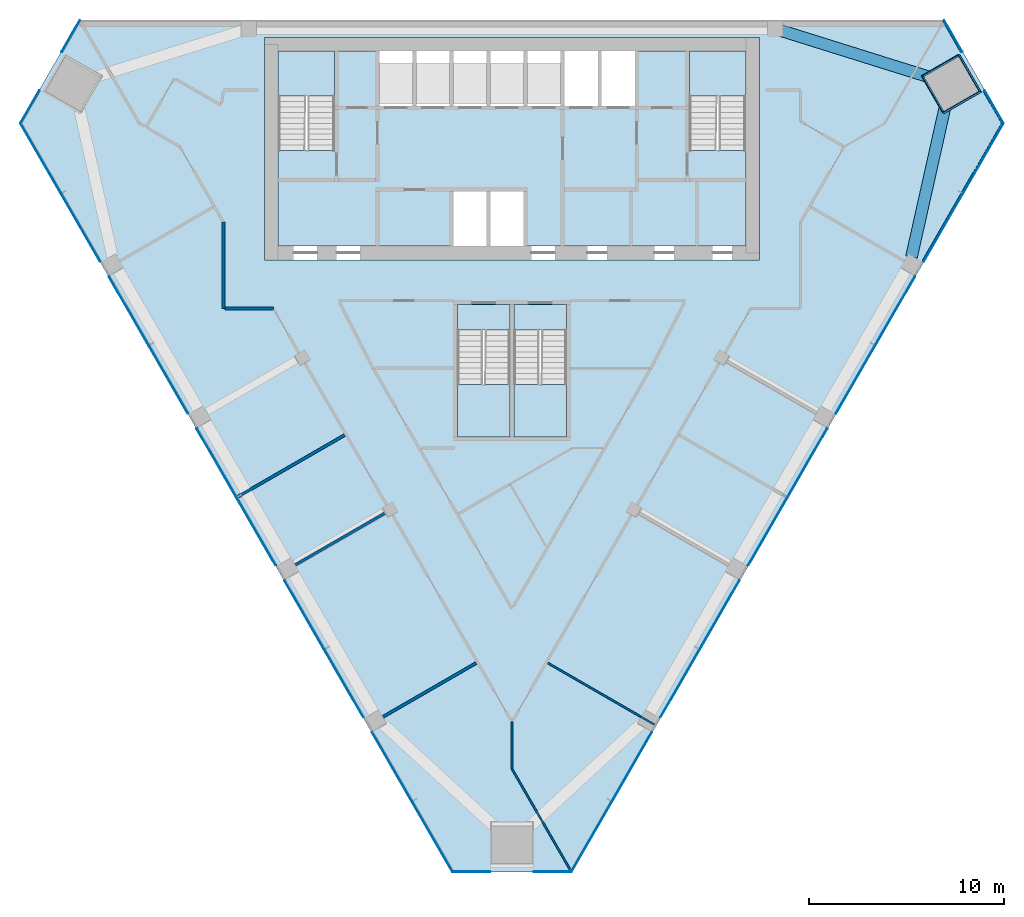
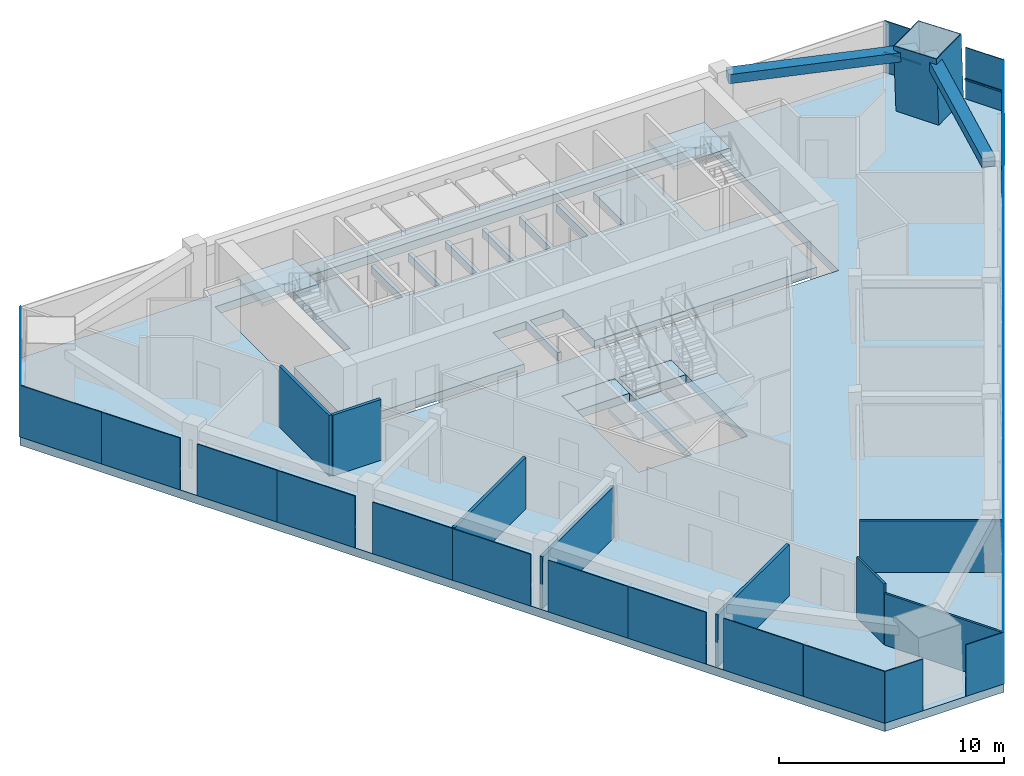
# One storey, part 7 of 13: 26 plates, 8 slabs, 8 walls, 4 members, 2 beams, 9 elements without a shape of their own.
"""IFC4 building model written with IfcOpenShell, lengths in metres."""

import ifcopenshell
import ifcopenshell.guid

model = None  # the IFC model being written
_history = None  # IfcOwnerHistory: only IFC2X3 demands one
_inside = {}  # id of a spatial element -> (the spatial element, [elements in it])
_under = {}  # id of a project, library or spatial element -> (it, [spatial elements below it])
_declared = {}  # id of a project -> (the project, [libraries it declares])
_typed = {}  # id of a type object -> (the type object, [elements of that type])
_made_of = {}  # id of a material, layer set ... -> (it, [elements and type objects made of it])


def new_model(schema):
    """Start an empty IFC model of exactly this schema.

    Asked for "IFC4X3", IfcOpenShell would pick the latest addendum, in which some entities
    have other attributes; the version numbers below select the first issue.
    IFC2X3 requires an IfcOwnerHistory on every rooted entity: one is made here for all.
    """
    global model, _history
    if schema == "IFC4X3":
        model = ifcopenshell.file(schema_version=(4, 3, 0, 0))
    else:
        model = ifcopenshell.file(schema=schema)
    _inside.clear()
    _under.clear()
    _declared.clear()
    _typed.clear()
    _made_of.clear()
    _history = None
    if model.schema == "IFC2X3":
        org = make("IfcOrganization", Name="unknown")
        user = make(
            "IfcPersonAndOrganization",
            ThePerson=make("IfcPerson", FamilyName="unknown"),
            TheOrganization=org,
        )
        app = make(
            "IfcApplication",
            ApplicationDeveloper=org,
            Version="unknown",
            ApplicationFullName="unknown",
            ApplicationIdentifier="unknown",
        )
        _history = make(
            "IfcOwnerHistory",
            OwningUser=user,
            OwningApplication=app,
            ChangeAction="ADDED",
            CreationDate=0,
        )
    return model


def make(cls, **values):
    """One entity of the class cls with the attributes given. An attribute that is None is left unset."""
    return model.create_entity(
        cls, **{name: value for name, value in values.items() if value is not None}
    )


def rooted(cls, **values):
    """An entity with a GlobalId (a new one), such as an element, a storey or a relation."""
    return make(cls, GlobalId=ifcopenshell.guid.new(), OwnerHistory=_history, **values)


def si_unit(unit_type, name, prefix=None):
    """IfcSIUnit, for example si_unit("LENGTHUNIT", "METRE", prefix="MILLI")."""
    return make("IfcSIUnit", UnitType=unit_type, Prefix=prefix, Name=name)


def assignment(units):
    """IfcUnitAssignment: the units of a project."""
    return None if units is None else make("IfcUnitAssignment", Units=units)


def point(xyz):
    """IfcCartesianPoint."""
    return None if xyz is None else make("IfcCartesianPoint", Coordinates=xyz)


def direction(xyz):
    """IfcDirection."""
    return None if xyz is None else make("IfcDirection", DirectionRatios=xyz)


def frame(location, z_axis=None, x_axis=None):
    """IfcAxis2Placement3D, a coordinate frame: its origin and axes. An axis left out is left unset."""
    return make(
        "IfcAxis2Placement3D",
        Location=point(location),
        Axis=direction(z_axis),
        RefDirection=direction(x_axis),
    )


def frame_2d(location, x_axis=None):
    """IfcAxis2Placement2D, a coordinate frame in the plane: its origin and x axis."""
    return make(
        "IfcAxis2Placement2D", Location=point(location), RefDirection=direction(x_axis)
    )


def origin():
    """The frame at (0, 0, 0) with its axes left unset."""
    return frame((0.0, 0.0, 0.0))


def origin_2d():
    """The frame at (0, 0) in the plane with its x axis left unset."""
    return frame_2d((0.0, 0.0))


def place(relative_to, where):
    """IfcLocalPlacement: puts the frame where relative to a parent placement (None: the world)."""
    return make(
        "IfcLocalPlacement", PlacementRelTo=relative_to, RelativePlacement=where
    )


def context(
    kind, dimensions, precision=None, world=None, true_north=None, identifier=None
):
    """IfcGeometricRepresentationContext, for example the 3D "Model" context."""
    return make(
        "IfcGeometricRepresentationContext",
        ContextIdentifier=identifier,
        ContextType=kind,
        CoordinateSpaceDimension=dimensions,
        Precision=precision,
        WorldCoordinateSystem=world,
        TrueNorth=true_north,
    )


def subcontext(parent, identifier, kind, view, scale=None):
    """IfcGeometricRepresentationSubContext, for example "Body" below "Model"."""
    return make(
        "IfcGeometricRepresentationSubContext",
        ContextIdentifier=identifier,
        ContextType=kind,
        ParentContext=parent,
        TargetScale=scale,
        TargetView=view,
    )


def project(units=None, contexts=None):
    """IfcProject with its units and contexts."""
    return rooted(
        "IfcProject",
        Name="project",
        RepresentationContexts=contexts,
        UnitsInContext=assignment(units),
    )


def spatial(cls, under=None, at=None, **own):
    """A site, building, storey or space (cls), placed at a placement, below another one or the project."""
    s = rooted(cls, ObjectPlacement=at, **own)
    if under is not None:
        _under.setdefault(under.id(), (under, []))[1].append(s)
    return s


def polyline(points):
    """IfcPolyline through the points."""
    return make("IfcPolyline", Points=[point(p) for p in points])


def profile(cls, at=None, kind="AREA", **sizes):
    """A parametric profile (cls). Its sizes go by their IFC names, for example OverallWidth=200.0."""
    return make(cls, ProfileType=kind, Position=at, **sizes)


def rectangle(**sizes):
    """IfcRectangleProfileDef."""
    return profile("IfcRectangleProfileDef", **sizes)


def hollow_rectangle(**sizes):
    """IfcRectangleHollowProfileDef."""
    return profile("IfcRectangleHollowProfileDef", **sizes)


def outline(outer, holes=None, kind="AREA"):
    """IfcArbitraryClosedProfileDef: a profile drawn as a closed curve; with holes, ...WithVoids."""
    if holes is None:
        return make("IfcArbitraryClosedProfileDef", ProfileType=kind, OuterCurve=outer)
    return make(
        "IfcArbitraryProfileDefWithVoids",
        ProfileType=kind,
        OuterCurve=outer,
        InnerCurves=holes,
    )


def extrude(swept, where, along, depth):
    """IfcExtrudedAreaSolid: the profile swept, set in the frame where, extruded along a direction by depth."""
    return make(
        "IfcExtrudedAreaSolid",
        SweptArea=swept,
        Position=where,
        ExtrudedDirection=direction(along),
        Depth=depth,
    )


def shape(context_of_items, identifier, shape_type, items):
    """IfcShapeRepresentation: the items that make up one representation, for example the "Body"."""
    return make(
        "IfcShapeRepresentation",
        ContextOfItems=context_of_items,
        RepresentationIdentifier=identifier,
        RepresentationType=shape_type,
        Items=items,
    )


def material(Name=None, Category=None):
    """IfcMaterial."""
    return make("IfcMaterial", Name=Name, Category=Category)


def layer(
    of_material, thickness, ventilated=None, Name=None, Category=None, Priority=None
):
    """IfcMaterialLayer: one layer of a wall or slab, of a material (None: an air gap)."""
    return make(
        "IfcMaterialLayer",
        Material=of_material,
        LayerThickness=thickness,
        IsVentilated=ventilated,
        Name=Name,
        Category=Category,
        Priority=Priority,
    )


def layer_set(layers, Name=None):
    """IfcMaterialLayerSet."""
    return make("IfcMaterialLayerSet", MaterialLayers=layers, LayerSetName=Name)


def material_profile(
    of_material, cross_section, Name=None, Category=None, Priority=None
):
    """IfcMaterialProfile: a cross section and its material."""
    return make(
        "IfcMaterialProfile",
        Name=Name,
        Material=of_material,
        Profile=cross_section,
        Priority=Priority,
        Category=Category,
    )


def profile_set(profiles, Name=None, composite=None):
    """IfcMaterialProfileSet."""
    return make(
        "IfcMaterialProfileSet",
        Name=Name,
        MaterialProfiles=profiles,
        CompositeProfile=composite,
    )


def made_of(thing, what):
    """Note that an element or type object is made of a material, layer set ...; save() writes the relation."""
    if what is not None:
        _made_of.setdefault(what.id(), (what, []))[1].append(thing)
    return thing


def type_object(cls, material=None, **own):
    """A type object (cls), such as IfcWallType, which elements share."""
    return made_of(rooted(cls, **own), material)


def element(
    cls,
    number,
    at=None,
    inside=None,
    cuts=None,
    type_object=None,
    material=None,
    context=None,
    identifier="Body",
    shape_type=None,
    held_by="IfcProductDefinitionShape",
    body=None,
    shapes=None,
    **own,
):
    """One element of the class cls, such as IfcWall. Its Tag is "e" and its number.

    at: its placement. inside: the storey or other place that contains it. cuts: it is an
    opening in that element (IfcRelVoidsElement). A single representation is given by context,
    identifier, shape_type and body (its items); several are given by shapes. held_by: the class
    of the entity that holds the representations. save() writes the other relations.
    """
    e = rooted(cls, Tag="e%d" % number, ObjectPlacement=at, **own)
    if body is not None:
        shapes = [shape(context, identifier, shape_type, body)]
    if shapes is not None:
        e.Representation = make(held_by, Representations=shapes)
    if inside is not None:
        _inside.setdefault(inside.id(), (inside, []))[1].append(e)
    if cuts is not None:
        rooted(
            "IfcRelVoidsElement", RelatingBuildingElement=cuts, RelatedOpeningElement=e
        )
    if type_object is not None:
        _typed.setdefault(type_object.id(), (type_object, []))[1].append(e)
    return made_of(e, material)


def aggregate(whole, parts):
    """IfcRelAggregates: a whole, such as a stair, and the parts it consists of."""
    return rooted("IfcRelAggregates", RelatingObject=whole, RelatedObjects=parts)


def save(model, path):
    """Write the relations noted so far, then the file.

    IfcRelAggregates (storeys below a building ...), IfcRelContainedInSpatialStructure (elements
    in a storey), IfcRelDefinesByType, IfcRelAssociatesMaterial and IfcRelDeclares: one each for
    every whole, place, type object, material and project.
    """
    for whole, parts in _under.values():
        aggregate(whole, parts)
    for where, things in _inside.values():
        rooted(
            "IfcRelContainedInSpatialStructure",
            RelatedElements=things,
            RelatingStructure=where,
        )
    for kind, things in _typed.values():
        rooted("IfcRelDefinesByType", RelatedObjects=things, RelatingType=kind)
    for what, things in _made_of.values():
        rooted("IfcRelAssociatesMaterial", RelatedObjects=things, RelatingMaterial=what)
    for by, libraries in _declared.values():
        rooted("IfcRelDeclares", RelatingContext=by, RelatedDefinitions=libraries)
    model.write(path)


model = new_model("IFC4")

# Units and contexts
model_context = context("Model", 3, precision=1e-05, world=origin(), true_north=direction((0.0, 1.0)))
body_context = subcontext(model_context, "Body", "Model", "MODEL_VIEW")
ifc_project = project(units=[si_unit("LENGTHUNIT", "METRE"), si_unit("AREAUNIT", "SQUARE_METRE"), si_unit("VOLUMEUNIT", "CUBIC_METRE"), si_unit("PLANEANGLEUNIT", "RADIAN"), si_unit("MASSUNIT", "GRAM", prefix="KILO")], contexts=[model_context])

# Site, building, storey
site_placement = place(None, origin())
site = spatial("IfcSite", under=ifc_project, at=site_placement, CompositionType="ELEMENT")
building_placement = place(site_placement, origin())
building = spatial("IfcBuilding", under=site, at=building_placement, Name="Altiplano Prism Tower", CompositionType="ELEMENT")
storey_placement = place(building_placement, frame((0.0, 0.0, 208.800048828125)))
storey = spatial("IfcBuildingStorey", under=building, at=storey_placement, Name="L54", CompositionType="ELEMENT", Elevation=208.800048828125)

# Curtain wall, member
ifc_material_1 = material(Name="Aluminium and glass", Category="aluminium")
ifc_layer_1 = layer(ifc_material_1, 0.303955078125)
ifc_layer_set_1 = layer_set([ifc_layer_1], Name="Aluminium and glass")
curtain_wall_type = type_object("IfcCurtainWallType", Name="CW2 lounge-band unitised glazing", PredefinedType="NOTDEFINED", material=ifc_layer_set_1)
curtain_wall_1_placement = place(storey_placement, origin())
curtain_wall_1 = element("IfcCurtainWall", 1, at=curtain_wall_1_placement, inside=storey, type_object=curtain_wall_type, Name="CW2 curtain wall south-east face L54", PredefinedType="NOTDEFINED")
ifc_material_2 = material(Name="Aluminium", Category="aluminium")
ifc_material_profile_1 = material_profile(ifc_material_2, rectangle(XDim=0.06005859375, YDim=0.080078125, at=origin_2d()), Name="CW2 transom 80 x 60")
ifc_profile_set_1 = profile_set([ifc_material_profile_1], Name="Aluminium")
member_type_1 = type_object("IfcMemberType", Name="CW2 transom 80 x 60", PredefinedType="USERDEFINED", material=ifc_profile_set_1)
member_1_placement = place(storey_placement, frame((106.07275390625, 92.64013671875, 1.099853515625), z_axis=(0.500003317987, 0.866023488135, 0.0), x_axis=(-0.866023488135, 0.500003317987, 0.0)))
member_1 = element("IfcMember", 2, at=member_1_placement, type_object=member_type_1, Name="CW2 transom", ObjectType="TRANSOM", PredefinedType="USERDEFINED", context=body_context, shape_type="SweptSolid", body=[
    extrude(rectangle(XDim=0.06005859375, YDim=0.080078125, at=origin_2d()), origin(), (0.0, 0.0, 1.0), 8.20166015625),
])

# Curtain wall, members
curtain_wall_2_placement = place(storey_placement, origin())
curtain_wall_2 = element("IfcCurtainWall", 3, at=curtain_wall_2_placement, inside=storey, type_object=curtain_wall_type, Name="CW2 curtain wall north-east chamfer L54", PredefinedType="NOTDEFINED")
member_2_placement = place(storey_placement, frame((110.173583984375, 99.6689453125, 1.099853515625), z_axis=(-0.500017700655, 0.866015184065, 0.0), x_axis=(-0.866015184065, -0.500017700655, 0.0)))
member_2 = element("IfcMember", 4, at=member_2_placement, type_object=member_type_1, Name="CW2 transom", ObjectType="TRANSOM", PredefinedType="USERDEFINED", context=body_context, shape_type="SweptSolid", body=[
    extrude(rectangle(XDim=0.06005859375, YDim=0.080078125, at=origin_2d()), origin(), (0.0, 0.0, 1.0), 1.95654296875),
])
member_3_placement = place(storey_placement, frame((108.05517578125, 103.337890625, 1.099853515625), z_axis=(-0.500015282227, 0.866016580407, 0.0), x_axis=(-0.866016580407, -0.500015282227, 0.0)))
member_3 = element("IfcMember", 5, at=member_3_placement, type_object=member_type_1, Name="CW2 transom", ObjectType="TRANSOM", PredefinedType="USERDEFINED", context=body_context, shape_type="SweptSolid", body=[
    extrude(rectangle(XDim=0.06005859375, YDim=0.080078125, at=origin_2d()), origin(), (0.0, 0.0, 1.0), 1.87646484375),
])

# Beams
ifc_material_3 = material(Name="Concrete C60/75", Category="concrete")
ifc_material_profile_2 = material_profile(ifc_material_3, rectangle(XDim=0.60009765625, YDim=0.5, at=origin_2d()), Name="Edge beam 600x500")
ifc_profile_set_2 = profile_set([ifc_material_profile_2], Name="Concrete C60/75")
beam_type = type_object("IfcBeamType", Name="Edge beam 600x500", PredefinedType="SPANDREL", material=ifc_profile_set_2)
beam_1_placement = place(storey_placement, frame((105.49267578125, 92.843505859375, 3.050048828125), z_axis=(0.218228385959, 0.975897725974, 0.0), x_axis=(-0.975897725974, 0.218228385959, 0.0)))
element("IfcBeam", 6, at=beam_1_placement, inside=storey, type_object=beam_type, Name="Edge beam P24-M2 L55", PredefinedType="SPANDREL", context=body_context, shape_type="SweptSolid", body=[
    extrude(rectangle(XDim=0.60009765625, YDim=0.5, at=origin_2d()), origin(), (0.0, 0.0, 1.0), 8.662353515625),
])
beam_2_placement = place(storey_placement, frame((107.0517578125, 101.870849609375, 3.050048828125), z_axis=(-0.954270622683, 0.298944106288, 0.0), x_axis=(-0.298944106288, -0.954270622683, 0.0)))
element("IfcBeam", 7, at=beam_2_placement, inside=storey, type_object=beam_type, Name="Edge beam M2-P01 L55", PredefinedType="SPANDREL", context=body_context, shape_type="SweptSolid", body=[
    extrude(rectangle(XDim=0.60009765625, YDim=0.5, at=origin_2d()), origin(), (0.0, 0.0, 1.0), 8.66259765625),
])

# Member
ifc_material_4 = material(Name="Steel S460", Category="steel")
ifc_material_profile_3 = material_profile(ifc_material_4, hollow_rectangle(XDim=2.199951171875, YDim=2.199951171875, WallThickness=0.0400390625, at=origin_2d()), Name="Mega column tube 2200")
ifc_profile_set_3 = profile_set([ifc_material_profile_3], Name="Steel S460")
member_type_2 = type_object("IfcMemberType", Name="Mega column tube 2200", PredefinedType="POST", material=ifc_profile_set_3)
member_4_placement = place(storey_placement, frame((107.58349609375, 101.702880859375, 0.0), z_axis=(-0.028403721265, 0.009287135593, 0.999553389135), x_axis=(0.498876060714, -0.866388293582, 0.022226128563)))
element("IfcMember", 8, at=member_4_placement, inside=storey, type_object=member_type_2, Name="Mega column tube M2 L54", PredefinedType="POST", context=body_context, shape_type="SweptSolid", body=[
    extrude(hollow_rectangle(XDim=2.199951171875, YDim=2.199951171875, WallThickness=0.0400390625, at=origin_2d()), origin(), (0.0, 0.0, 1.0), 3.6015625),
])

# Curtain wall, plates
curtain_wall_3_placement = place(storey_placement, origin())
curtain_wall_3 = element("IfcCurtainWall", 9, at=curtain_wall_3_placement, inside=storey, type_object=curtain_wall_type, Name="CW2 curtain wall north-west chamfer L54", PredefinedType="NOTDEFINED")
ifc_material_5 = material(Name="Clear glass", Category="glass")
ifc_layer_2 = layer(ifc_material_5, 0.0439453125)
ifc_layer_set_2 = layer_set([ifc_layer_2], Name="Clear glass")
plate_type = type_object("IfcPlateType", Name="CW2 insulated glass unit 44", PredefinedType="CURTAIN_PANEL", material=ifc_layer_set_2)
plate_1_placement = place(storey_placement, frame((62.368896484375, 104.176513671875, 0.0), z_axis=(0.0, 0.0, 1.0), x_axis=(-0.499999925876, -0.86602544658, 0.0)))
plate_1 = element("IfcPlate", 10, at=plate_1_placement, type_object=plate_type, Name="CW2 panel", PredefinedType="CURTAIN_PANEL", context=body_context, shape_type="SweptSolid", body=[
    extrude(rectangle(XDim=1.866455078125, YDim=0.0439453125, at=origin_2d()), origin(), (0.0, 0.0, 1.0), 2.800048828125),
])
plate_2_placement = place(storey_placement, frame((60.2705078125, 100.542236328125, 0.0), z_axis=(0.0, 0.0, 1.0), x_axis=(-0.499999925876, -0.86602544658, 0.0)))
plate_2 = element("IfcPlate", 11, at=plate_2_placement, type_object=plate_type, Name="CW2 panel", PredefinedType="CURTAIN_PANEL", context=body_context, shape_type="SweptSolid", body=[
    extrude(rectangle(XDim=1.946533203125, YDim=0.0439453125, at=origin_2d()), origin(), (0.0, 0.0, 1.0), 2.800048828125),
])
aggregate(curtain_wall_3, [plate_1, plate_2])

curtain_wall_4_placement = place(storey_placement, origin())
curtain_wall_4 = element("IfcCurtainWall", 12, at=curtain_wall_4_placement, inside=storey, type_object=curtain_wall_type, Name="CW2 curtain wall south-west face L54", PredefinedType="NOTDEFINED")
plate_3_placement = place(storey_placement, frame((60.82666015625, 97.906494140625, 0.0), z_axis=(0.0, 0.0, 1.0), x_axis=(0.499999979504, -0.866025415618, 0.0)))
plate_3 = element("IfcPlate", 13, at=plate_3_placement, type_object=plate_type, Name="CW2 panel", PredefinedType="CURTAIN_PANEL", context=body_context, shape_type="SweptSolid", body=[
    extrude(rectangle(XDim=4.171142578125, YDim=0.0439453125, at=origin_2d()), origin(), (0.0, 0.0, 1.0), 2.800048828125),
])
plate_4_placement = place(storey_placement, frame((62.877197265625, 94.355224609375, 0.0), z_axis=(0.0, 0.0, 1.0), x_axis=(0.499999979504, -0.866025415618, 0.0)))
plate_4 = element("IfcPlate", 14, at=plate_4_placement, type_object=plate_type, Name="CW2 panel", PredefinedType="CURTAIN_PANEL", context=body_context, shape_type="SweptSolid", body=[
    extrude(rectangle(XDim=4.010498046875, YDim=0.0439453125, at=origin_2d()), origin(), (0.0, 0.0, 1.0), 2.800048828125),
])
plate_5_placement = place(storey_placement, frame((65.34716796875, 90.076904296875, 0.0), z_axis=(0.0, 0.0, 1.0), x_axis=(0.499999979504, -0.866025415618, 0.0)))
plate_5 = element("IfcPlate", 15, at=plate_5_placement, type_object=plate_type, Name="CW2 panel", PredefinedType="CURTAIN_PANEL", context=body_context, shape_type="SweptSolid", body=[
    extrude(rectangle(XDim=4.08935546875, YDim=0.0439453125, at=origin_2d()), origin(), (0.0, 0.0, 1.0), 2.800048828125),
])
plate_6_placement = place(storey_placement, frame((67.377197265625, 86.560791015625, 0.0), z_axis=(0.0, 0.0, 1.0), x_axis=(0.499999979504, -0.866025415618, 0.0)))
plate_6 = element("IfcPlate", 16, at=plate_6_placement, type_object=plate_type, Name="CW2 panel", PredefinedType="CURTAIN_PANEL", context=body_context, shape_type="SweptSolid", body=[
    extrude(rectangle(XDim=4.010498046875, YDim=0.0439453125, at=origin_2d()), origin(), (0.0, 0.0, 1.0), 2.800048828125),
])
plate_7_placement = place(storey_placement, frame((69.84716796875, 82.28271484375, 0.0), z_axis=(0.0, 0.0, 1.0), x_axis=(0.499999979504, -0.866025415618, 0.0)))
plate_7 = element("IfcPlate", 17, at=plate_7_placement, type_object=plate_type, Name="CW2 panel", PredefinedType="CURTAIN_PANEL", context=body_context, shape_type="SweptSolid", body=[
    extrude(rectangle(XDim=4.08935546875, YDim=0.0439453125, at=origin_2d()), origin(), (0.0, 0.0, 1.0), 2.800048828125),
])
plate_8_placement = place(storey_placement, frame((71.877197265625, 78.7666015625, 0.0), z_axis=(0.0, 0.0, 1.0), x_axis=(0.499999979504, -0.866025415618, 0.0)))
plate_8 = element("IfcPlate", 18, at=plate_8_placement, type_object=plate_type, Name="CW2 panel", PredefinedType="CURTAIN_PANEL", context=body_context, shape_type="SweptSolid", body=[
    extrude(rectangle(XDim=4.010498046875, YDim=0.0439453125, at=origin_2d()), origin(), (0.0, 0.0, 1.0), 2.800048828125),
])
plate_9_placement = place(storey_placement, frame((74.34716796875, 74.488525390625, 0.0), z_axis=(0.0, 0.0, 1.0), x_axis=(0.499999979504, -0.866025415618, 0.0)))
plate_9 = element("IfcPlate", 19, at=plate_9_placement, type_object=plate_type, Name="CW2 panel", PredefinedType="CURTAIN_PANEL", context=body_context, shape_type="SweptSolid", body=[
    extrude(rectangle(XDim=4.08935546875, YDim=0.0439453125, at=origin_2d()), origin(), (0.0, 0.0, 1.0), 2.800048828125),
])
plate_10_placement = place(storey_placement, frame((76.377197265625, 70.972412109375, 0.0), z_axis=(0.0, 0.0, 1.0), x_axis=(0.499999979504, -0.866025415618, 0.0)))
plate_10 = element("IfcPlate", 20, at=plate_10_placement, type_object=plate_type, Name="CW2 panel", PredefinedType="CURTAIN_PANEL", context=body_context, shape_type="SweptSolid", body=[
    extrude(rectangle(XDim=4.010498046875, YDim=0.0439453125, at=origin_2d()), origin(), (0.0, 0.0, 1.0), 2.800048828125),
])
plate_11_placement = place(storey_placement, frame((78.84716796875, 66.694091796875, 0.0), z_axis=(0.0, 0.0, 1.0), x_axis=(0.499999979504, -0.866025415618, 0.0)))
plate_11 = element("IfcPlate", 21, at=plate_11_placement, type_object=plate_type, Name="CW2 panel", PredefinedType="CURTAIN_PANEL", context=body_context, shape_type="SweptSolid", body=[
    extrude(rectangle(XDim=4.08935546875, YDim=0.0439453125, at=origin_2d()), origin(), (0.0, 0.0, 1.0), 2.800048828125),
])
plate_12_placement = place(storey_placement, frame((80.917236328125, 63.108642578125, 0.0), z_axis=(0.0, 0.0, 1.0), x_axis=(0.499999979504, -0.866025415618, 0.0)))
plate_12 = element("IfcPlate", 22, at=plate_12_placement, type_object=plate_type, Name="CW2 panel", PredefinedType="CURTAIN_PANEL", context=body_context, shape_type="SweptSolid", body=[
    extrude(rectangle(XDim=4.171142578125, YDim=0.0439453125, at=origin_2d()), origin(), (0.0, 0.0, 1.0), 2.800048828125),
])
aggregate(curtain_wall_4, [plate_3, plate_4, plate_5, plate_6, plate_7, plate_8, plate_9, plate_10, plate_11, plate_12])

curtain_wall_5_placement = place(storey_placement, origin())
curtain_wall_5 = element("IfcCurtainWall", 23, at=curtain_wall_5_placement, inside=storey, type_object=curtain_wall_type, Name="CW2 curtain wall south chamfer L54", PredefinedType="NOTDEFINED")
plate_13_placement = place(storey_placement, frame((82.921630859375, 61.30908203125, 0.0), z_axis=(0.0, 0.0, 1.0), x_axis=(1.0, 0.0, 0.0)))
plate_13 = element("IfcPlate", 24, at=plate_13_placement, type_object=plate_type, Name="CW2 panel", PredefinedType="CURTAIN_PANEL", context=body_context, shape_type="SweptSolid", body=[
    extrude(rectangle(XDim=1.946533203125, YDim=0.0439453125, at=origin_2d()), origin(), (0.0, 0.0, 1.0), 2.800048828125),
])
plate_14_placement = place(storey_placement, frame((87.078369140625, 61.30908203125, 0.0), z_axis=(0.0, 0.0, 1.0), x_axis=(1.0, 0.0, 0.0)))
plate_14 = element("IfcPlate", 25, at=plate_14_placement, type_object=plate_type, Name="CW2 panel", PredefinedType="CURTAIN_PANEL", context=body_context, shape_type="SweptSolid", body=[
    extrude(rectangle(XDim=1.946533203125, YDim=0.0439453125, at=origin_2d()), origin(), (0.0, 0.0, 1.0), 2.800048828125),
])
aggregate(curtain_wall_5, [plate_13, plate_14])

# Plate
plate_15_placement = place(storey_placement, frame((89.082763671875, 63.108642578125, 0.0), z_axis=(0.0, 0.0, 1.0), x_axis=(0.499999979504, 0.866025415618, 0.0)))
plate_15 = element("IfcPlate", 26, at=plate_15_placement, type_object=plate_type, Name="CW2 panel", PredefinedType="CURTAIN_PANEL", context=body_context, shape_type="SweptSolid", body=[
    extrude(rectangle(XDim=4.171142578125, YDim=0.0439453125, at=origin_2d()), origin(), (0.0, 0.0, 1.0), 2.800048828125),
])

plate_16_placement = place(storey_placement, frame((91.15283203125, 66.694091796875, 0.0), z_axis=(0.0, 0.0, 1.0), x_axis=(0.499999979504, 0.866025415618, 0.0)))
plate_16 = element("IfcPlate", 27, at=plate_16_placement, type_object=plate_type, Name="CW2 panel", PredefinedType="CURTAIN_PANEL", context=body_context, shape_type="SweptSolid", body=[
    extrude(rectangle(XDim=4.08935546875, YDim=0.0439453125, at=origin_2d()), origin(), (0.0, 0.0, 1.0), 2.800048828125),
])

plate_17_placement = place(storey_placement, frame((93.622802734375, 70.972412109375, 0.0), z_axis=(0.0, 0.0, 1.0), x_axis=(0.499999979504, 0.866025415618, 0.0)))
plate_17 = element("IfcPlate", 28, at=plate_17_placement, type_object=plate_type, Name="CW2 panel", PredefinedType="CURTAIN_PANEL", context=body_context, shape_type="SweptSolid", body=[
    extrude(rectangle(XDim=4.010498046875, YDim=0.0439453125, at=origin_2d()), origin(), (0.0, 0.0, 1.0), 2.800048828125),
])

plate_18_placement = place(storey_placement, frame((95.65283203125, 74.488525390625, 0.0), z_axis=(0.0, 0.0, 1.0), x_axis=(0.499999979504, 0.866025415618, 0.0)))
plate_18 = element("IfcPlate", 29, at=plate_18_placement, type_object=plate_type, Name="CW2 panel", PredefinedType="CURTAIN_PANEL", context=body_context, shape_type="SweptSolid", body=[
    extrude(rectangle(XDim=4.08935546875, YDim=0.0439453125, at=origin_2d()), origin(), (0.0, 0.0, 1.0), 2.800048828125),
])

plate_19_placement = place(storey_placement, frame((98.122802734375, 78.7666015625, 0.0), z_axis=(0.0, 0.0, 1.0), x_axis=(0.499999979504, 0.866025415618, 0.0)))
plate_19 = element("IfcPlate", 30, at=plate_19_placement, type_object=plate_type, Name="CW2 panel", PredefinedType="CURTAIN_PANEL", context=body_context, shape_type="SweptSolid", body=[
    extrude(rectangle(XDim=4.010498046875, YDim=0.0439453125, at=origin_2d()), origin(), (0.0, 0.0, 1.0), 2.800048828125),
])

plate_20_placement = place(storey_placement, frame((100.15283203125, 82.28271484375, 0.0), z_axis=(0.0, 0.0, 1.0), x_axis=(0.499999979504, 0.866025415618, 0.0)))
plate_20 = element("IfcPlate", 31, at=plate_20_placement, type_object=plate_type, Name="CW2 panel", PredefinedType="CURTAIN_PANEL", context=body_context, shape_type="SweptSolid", body=[
    extrude(rectangle(XDim=4.08935546875, YDim=0.0439453125, at=origin_2d()), origin(), (0.0, 0.0, 1.0), 2.800048828125),
])

plate_21_placement = place(storey_placement, frame((102.622802734375, 86.560791015625, 0.0), z_axis=(0.0, 0.0, 1.0), x_axis=(0.499999979504, 0.866025415618, 0.0)))
plate_21 = element("IfcPlate", 32, at=plate_21_placement, type_object=plate_type, Name="CW2 panel", PredefinedType="CURTAIN_PANEL", context=body_context, shape_type="SweptSolid", body=[
    extrude(rectangle(XDim=4.010498046875, YDim=0.0439453125, at=origin_2d()), origin(), (0.0, 0.0, 1.0), 2.800048828125),
])

plate_22_placement = place(storey_placement, frame((104.65283203125, 90.076904296875, 0.0), z_axis=(0.0, 0.0, 1.0), x_axis=(0.499999979504, 0.866025415618, 0.0)))
plate_22 = element("IfcPlate", 33, at=plate_22_placement, type_object=plate_type, Name="CW2 panel", PredefinedType="CURTAIN_PANEL", context=body_context, shape_type="SweptSolid", body=[
    extrude(rectangle(XDim=4.08935546875, YDim=0.0439453125, at=origin_2d()), origin(), (0.0, 0.0, 1.0), 2.800048828125),
])

plate_23_placement = place(storey_placement, frame((107.122802734375, 94.355224609375, 0.0), z_axis=(0.0, 0.0, 1.0), x_axis=(0.499999979504, 0.866025415618, 0.0)))
plate_23 = element("IfcPlate", 34, at=plate_23_placement, type_object=plate_type, Name="CW2 panel", PredefinedType="CURTAIN_PANEL", context=body_context, shape_type="SweptSolid", body=[
    extrude(rectangle(XDim=4.010498046875, YDim=0.0439453125, at=origin_2d()), origin(), (0.0, 0.0, 1.0), 2.800048828125),
])

plate_24_placement = place(storey_placement, frame((109.17333984375, 97.906494140625, 0.0), z_axis=(0.0, 0.0, 1.0), x_axis=(0.499999979504, 0.866025415618, 0.0)))
plate_24 = element("IfcPlate", 35, at=plate_24_placement, type_object=plate_type, Name="CW2 panel", PredefinedType="CURTAIN_PANEL", context=body_context, shape_type="SweptSolid", body=[
    extrude(rectangle(XDim=4.171142578125, YDim=0.0439453125, at=origin_2d()), origin(), (0.0, 0.0, 1.0), 2.800048828125),
])

aggregate(curtain_wall_1, [plate_15, plate_16, plate_17, plate_18, plate_19, plate_20, plate_21, plate_22, member_1, plate_23, plate_24])

plate_25_placement = place(storey_placement, frame((109.7294921875, 100.542236328125, 0.0), z_axis=(0.0, 0.0, 1.0), x_axis=(-0.499999925876, 0.86602544658, 0.0)))
plate_25 = element("IfcPlate", 36, at=plate_25_placement, type_object=plate_type, Name="CW2 panel", PredefinedType="CURTAIN_PANEL", context=body_context, shape_type="SweptSolid", body=[
    extrude(rectangle(XDim=1.946533203125, YDim=0.0439453125, at=origin_2d()), origin(), (0.0, 0.0, 1.0), 2.800048828125),
])

plate_26_placement = place(storey_placement, frame((107.631103515625, 104.176513671875, 0.0), z_axis=(0.0, 0.0, 1.0), x_axis=(-0.499999925876, 0.86602544658, 0.0)))
plate_26 = element("IfcPlate", 37, at=plate_26_placement, type_object=plate_type, Name="CW2 panel", PredefinedType="CURTAIN_PANEL", context=body_context, shape_type="SweptSolid", body=[
    extrude(rectangle(XDim=1.866455078125, YDim=0.0439453125, at=origin_2d()), origin(), (0.0, 0.0, 1.0), 2.800048828125),
])

aggregate(curtain_wall_2, [member_2, plate_25, member_3, plate_26])

# Slabs
ifc_material_6 = material(Name="Concrete C40/50", Category="concrete")
ifc_layer_3 = layer(ifc_material_6, 0.449951171875)
ifc_layer_set_3 = layer_set([ifc_layer_3], Name="Concrete C40/50")
slab_type_1 = type_object("IfcSlabType", Name="Core floor slab 450", PredefinedType="FLOOR", material=ifc_layer_set_3)
slab_1_placement = place(storey_placement, frame((0.0, 0.0, -0.449951171875)))
element("IfcSlab", 38, at=slab_1_placement, inside=storey, type_object=slab_type_1, Name="Core floor slab L54", PredefinedType="FLOOR", context=body_context, shape_type="SweptSolid", body=[
    extrude(outline(polyline([(97.0, 98.31005859375), (94.10009765625, 98.31005859375), (94.10009765625, 103.39990234375), (91.300048828125, 103.39990234375), (91.300048828125, 100.60009765625), (89.60009765625, 100.60009765625), (89.60009765625, 103.39990234375), (89.39990234375, 103.39990234375), (89.39990234375, 100.60009765625), (87.699951171875, 100.60009765625), (87.699951171875, 103.39990234375), (87.5, 103.39990234375), (87.5, 100.60009765625), (85.800048828125, 100.60009765625), (85.800048828125, 103.39990234375), (85.60009765625, 103.39990234375), (85.60009765625, 100.60009765625), (83.89990234375, 100.60009765625), (83.89990234375, 103.39990234375), (83.699951171875, 103.39990234375), (83.699951171875, 100.60009765625), (82.0, 100.60009765625), (82.0, 103.39990234375), (81.800048828125, 103.39990234375), (81.800048828125, 100.60009765625), (80.10009765625, 100.60009765625), (80.10009765625, 103.39990234375), (79.89990234375, 103.39990234375), (79.89990234375, 100.60009765625), (78.199951171875, 100.60009765625), (78.199951171875, 103.39990234375), (75.89990234375, 103.39990234375), (75.89990234375, 98.31005859375), (73.0, 98.31005859375), (73.0, 93.39990234375), (82.0, 93.39990234375), (82.0, 96.199951171875), (83.699951171875, 96.199951171875), (83.699951171875, 93.39990234375), (83.89990234375, 93.39990234375), (83.89990234375, 96.199951171875), (85.60009765625, 96.199951171875), (85.60009765625, 93.39990234375), (97.0, 93.39990234375), (97.0, 98.31005859375)])), origin(), (0.0, 0.0, 1.0), 0.449951171875),
])
slab_2_placement = place(storey_placement, frame((0.0, 0.0, -0.449951171875)))
element("IfcSlab", 39, at=slab_2_placement, inside=storey, type_object=slab_type_1, Name="Stair 3A landing slab L54", PredefinedType="FLOOR", context=body_context, shape_type="SweptSolid", body=[
    extrude(outline(polyline([(82.199951171875, 89.096923828125), (84.89990234375, 89.096923828125), (84.89990234375, 90.39990234375), (82.199951171875, 90.39990234375), (82.199951171875, 89.096923828125)])), origin(), (0.0, 0.0, 1.0), 0.449951171875),
])
slab_3_placement = place(storey_placement, frame((0.0, 0.0, -0.449951171875)))
element("IfcSlab", 40, at=slab_3_placement, inside=storey, type_object=slab_type_1, Name="Stair 3B landing slab L54", PredefinedType="FLOOR", context=body_context, shape_type="SweptSolid", body=[
    extrude(outline(polyline([(85.10009765625, 89.096923828125), (87.800048828125, 89.096923828125), (87.800048828125, 90.39990234375), (85.10009765625, 90.39990234375), (85.10009765625, 89.096923828125)])), origin(), (0.0, 0.0, 1.0), 0.449951171875),
])
ifc_layer_4 = layer(ifc_material_6, 0.449951171875)
ifc_layer_set_4 = layer_set([ifc_layer_4], Name="Concrete C40/50")
slab_type_2 = type_object("IfcSlabType", Name="Post-tensioned flat slab 450", PredefinedType="FLOOR", material=ifc_layer_set_4)
slab_4_placement = place(storey_placement, frame((0.0, 0.0, -0.449951171875)))
element("IfcSlab", 41, at=slab_4_placement, inside=storey, type_object=slab_type_2, Name="Floor slab L54", PredefinedType="FLOOR", context=body_context, shape_type="SweptSolid", body=[
    extrude(outline(polyline([(81.943603515625, 61.287109375), (59.762451171875, 99.7060546875), (62.81884765625, 105.0), (107.18115234375, 105.0), (110.237548828125, 99.7060546875), (88.056396484375, 61.287109375), (81.943603515625, 61.287109375)]), holes=[polyline([(72.300048828125, 104.10009765625), (72.300048828125, 92.699951171875), (97.699951171875, 92.699951171875), (97.699951171875, 104.10009765625), (72.300048828125, 104.10009765625)]), polyline([(84.89990234375, 90.39990234375), (82.199951171875, 90.39990234375), (82.199951171875, 83.60009765625), (84.89990234375, 83.60009765625), (84.89990234375, 90.39990234375)]), polyline([(87.800048828125, 83.60009765625), (87.800048828125, 90.39990234375), (85.10009765625, 90.39990234375), (85.10009765625, 83.60009765625), (87.800048828125, 83.60009765625)])]), origin(), (0.0, 0.0, 1.0), 0.449951171875),
])

# Stair, slab
stair_type_1 = type_object("IfcStairType", Name="Exit stair 1400", PredefinedType="HALF_TURN_STAIR", material=ifc_material_6)
stair_1_placement = place(storey_placement, origin())
stair_1 = element("IfcStair", 42, at=stair_1_placement, inside=storey, type_object=stair_type_1, Name="L54 Exit Stair 1", PredefinedType="HALF_TURN_STAIR")
ifc_layer_5 = layer(ifc_material_6, 0.199951171875)
ifc_layer_set_5 = layer_set([ifc_layer_5], Name="Concrete C40/50")
slab_type_3 = type_object("IfcSlabType", Name="Stair landing 200", PredefinedType="LANDING", material=ifc_layer_set_5)
slab_5_placement = place(storey_placement, frame((0.0, 0.0, 1.599853515625)))
slab_5 = element("IfcSlab", 43, at=slab_5_placement, type_object=slab_type_3, Name="ST1 landing 1", PredefinedType="LANDING", context=body_context, shape_type="SweptSolid", body=[
    extrude(outline(polyline([(75.89990234375, 101.096923828125), (75.89990234375, 103.39990234375), (73.0, 103.39990234375), (73.0, 101.096923828125), (75.89990234375, 101.096923828125)])), origin(), (0.0, 0.0, 1.0), 0.2001953125),
])
aggregate(stair_1, [slab_5])

stair_2_placement = place(storey_placement, origin())
stair_2 = element("IfcStair", 44, at=stair_2_placement, inside=storey, type_object=stair_type_1, Name="L54 Exit Stair 2", PredefinedType="HALF_TURN_STAIR")
slab_6_placement = place(storey_placement, frame((0.0, 0.0, 1.599853515625)))
slab_6 = element("IfcSlab", 45, at=slab_6_placement, type_object=slab_type_3, Name="ST2 landing 1", PredefinedType="LANDING", context=body_context, shape_type="SweptSolid", body=[
    extrude(outline(polyline([(97.0, 101.096923828125), (97.0, 103.39990234375), (94.10009765625, 103.39990234375), (94.10009765625, 101.096923828125), (97.0, 101.096923828125)])), origin(), (0.0, 0.0, 1.0), 0.2001953125),
])
aggregate(stair_2, [slab_6])

stair_type_2 = type_object("IfcStairType", Name="Exit stair 1300", PredefinedType="HALF_TURN_STAIR", material=ifc_material_6)
stair_3_placement = place(storey_placement, origin())
stair_3 = element("IfcStair", 46, at=stair_3_placement, inside=storey, type_object=stair_type_2, Name="L54 Exit Stair 3A", PredefinedType="HALF_TURN_STAIR")
slab_7_placement = place(storey_placement, frame((0.0, 0.0, 1.599853515625)))
slab_7 = element("IfcSlab", 47, at=slab_7_placement, type_object=slab_type_3, Name="ST3A landing 1", PredefinedType="LANDING", context=body_context, shape_type="SweptSolid", body=[
    extrude(outline(polyline([(82.199951171875, 86.302978515625), (82.199951171875, 83.60009765625), (84.89990234375, 83.60009765625), (84.89990234375, 86.302978515625), (82.199951171875, 86.302978515625)])), origin(), (0.0, 0.0, 1.0), 0.2001953125),
])
aggregate(stair_3, [slab_7])

stair_4_placement = place(storey_placement, origin())
stair_4 = element("IfcStair", 48, at=stair_4_placement, inside=storey, type_object=stair_type_2, Name="L54 Exit Stair 3B", PredefinedType="HALF_TURN_STAIR")
slab_8_placement = place(storey_placement, frame((0.0, 0.0, 1.599853515625)))
slab_8 = element("IfcSlab", 49, at=slab_8_placement, type_object=slab_type_3, Name="ST3B landing 1", PredefinedType="LANDING", context=body_context, shape_type="SweptSolid", body=[
    extrude(outline(polyline([(85.10009765625, 86.302978515625), (85.10009765625, 83.60009765625), (87.800048828125, 83.60009765625), (87.800048828125, 86.302978515625), (85.10009765625, 86.302978515625)])), origin(), (0.0, 0.0, 1.0), 0.2001953125),
])
aggregate(stair_4, [slab_8])

# Walls
ifc_material_7 = material(Name="Plasterboard on steel stud", Category="steel")
ifc_layer_6 = layer(ifc_material_7, 0.10009765625)
ifc_layer_set_6 = layer_set([ifc_layer_6], Name="Plasterboard on steel stud")
wall_type_1 = type_object("IfcWallType", Name="Partition 100 wet", PredefinedType="PARTITIONING", material=ifc_layer_set_6)
wall_1_placement = place(storey_placement, frame((88.010986328125, 61.36572265625, 0.0), z_axis=(0.0, 0.0, 1.0), x_axis=(-0.499971607987, 0.8660417953, 0.0)))
element("IfcWall", 50, at=wall_1_placement, inside=storey, type_object=wall_type_1, Name="Partition P03 L54 036", PredefinedType="PARTITIONING", context=body_context, shape_type="SweptSolid", body=[
    extrude(rectangle(XDim=6.022216796875, YDim=0.10009765625, at=frame_2d((3.01123046875, 0.0))), origin(), (0.0, 0.0, 1.0), 2.800048828125),
])
wall_2_placement = place(storey_placement, frame((85.0, 66.581298828125, 0.0), z_axis=(0.0, 0.0, 1.0), x_axis=(0.0, 1.0, 0.0)))
element("IfcWall", 51, at=wall_2_placement, inside=storey, type_object=wall_type_1, Name="Partition P03 L54 037", PredefinedType="PARTITIONING", context=body_context, shape_type="SweptSolid", body=[
    extrude(rectangle(XDim=2.411865234375, YDim=0.10009765625, at=frame_2d((1.2060546875, 0.0))), origin(), (0.0, 0.0, 1.0), 3.300048828125),
])
wall_3_placement = place(storey_placement, frame((92.310546875, 68.855224609375, 0.0), z_axis=(0.0, 0.0, 1.0), x_axis=(-0.866025537322, 0.499999768706, 0.0)))
element("IfcWall", 52, at=wall_3_placement, inside=storey, type_object=wall_type_1, Name="Partition P03 L54 038", PredefinedType="PARTITIONING", context=body_context, shape_type="SweptSolid", body=[
    extrude(rectangle(XDim=6.3251953125, YDim=0.10009765625, at=frame_2d((3.16259765625, 0.0))), origin(), (0.0, 0.0, 1.0), 2.800048828125),
])
ifc_layer_7 = layer(ifc_material_7, 0.14990234375)
ifc_layer_set_7 = layer_set([ifc_layer_7], Name="Plasterboard on steel stud")
wall_type_2 = type_object("IfcWallType", Name="Partition 150 corridor", PredefinedType="PARTITIONING", material=ifc_layer_set_7)
wall_4_placement = place(storey_placement, frame((70.199951171875, 94.62744140625, 0.0), z_axis=(0.0, 0.0, 1.0), x_axis=(0.0, -1.0, 0.0)))
element("IfcWall", 53, at=wall_4_placement, inside=storey, type_object=wall_type_2, Name="Partition P06 L54 005", PredefinedType="PARTITIONING", context=body_context, shape_type="SweptSolid", body=[
    extrude(rectangle(XDim=4.427490234375, YDim=0.14990234375, at=frame_2d((2.2138671875, 0.0))), origin(), (0.0, 0.0, 1.0), 3.300048828125),
])
wall_5_placement = place(storey_placement, frame((70.27490234375, 90.199951171875, 0.0), z_axis=(0.0, 0.0, 1.0), x_axis=(1.0, 0.0, 0.0)))
element("IfcWall", 54, at=wall_5_placement, inside=storey, type_object=wall_type_2, Name="Partition P06 L54 006", PredefinedType="PARTITIONING", context=body_context, shape_type="SweptSolid", body=[
    extrude(rectangle(XDim=2.4814453125, YDim=0.14990234375, at=frame_2d((1.24072265625, 0.0))), origin(), (0.0, 0.0, 1.0), 3.300048828125),
])
ifc_layer_8 = layer(ifc_material_7, 0.14990234375)
ifc_layer_set_8 = layer_set([ifc_layer_8], Name="Plasterboard on steel stud")
wall_type_3 = type_object("IfcWallType", Name="Partition 150 party", PredefinedType="PARTITIONING", material=ifc_layer_set_8)
for number, where, z_axis, x_axis, name in (
    (55, (70.939453125, 80.546630859375, 0.0), (0.0, 0.0, 1.0), (0.866042250622, 0.499970819286, 0.0), "Partition P01 L54 033"),
    (56, (73.189453125, 76.6494140625, 0.0), (0.0, 0.0, 1.0), (0.866025537322, 0.499999768706, 0.0), "Partition P01 L54 034"),
    (57, (77.689453125, 68.855224609375, 0.0), (0.0, 0.0, 1.0), (0.866025537322, 0.499999768706, 0.0), "Partition P01 L54 035"),
):
    element("IfcWall", number, at=place(storey_placement, frame(where, z_axis=z_axis, x_axis=x_axis)), inside=storey, type_object=wall_type_3, Name=name, PredefinedType="PARTITIONING", context=body_context, shape_type="SweptSolid", body=[
        extrude(rectangle(XDim=6.3251953125, YDim=0.14990234375, at=frame_2d((3.16259765625, 0.0))), origin(), (0.0, 0.0, 1.0), 2.800048828125),
    ])

save(model, "model.ifc")
